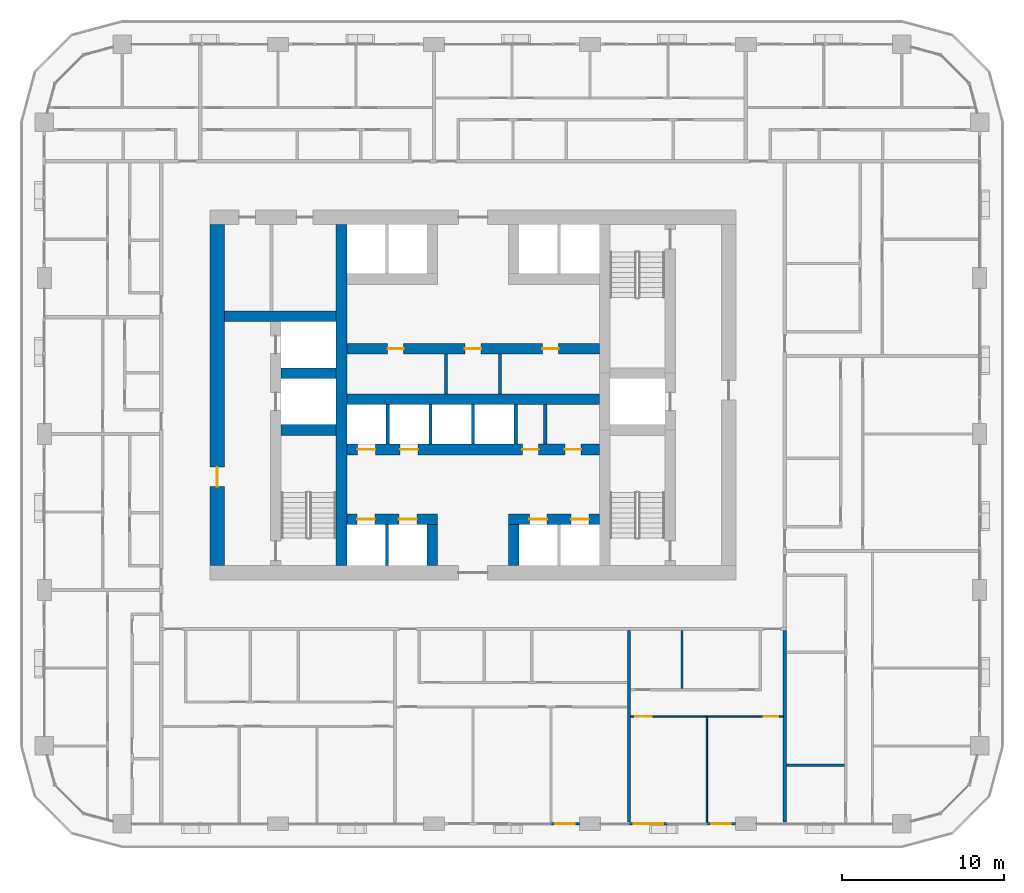
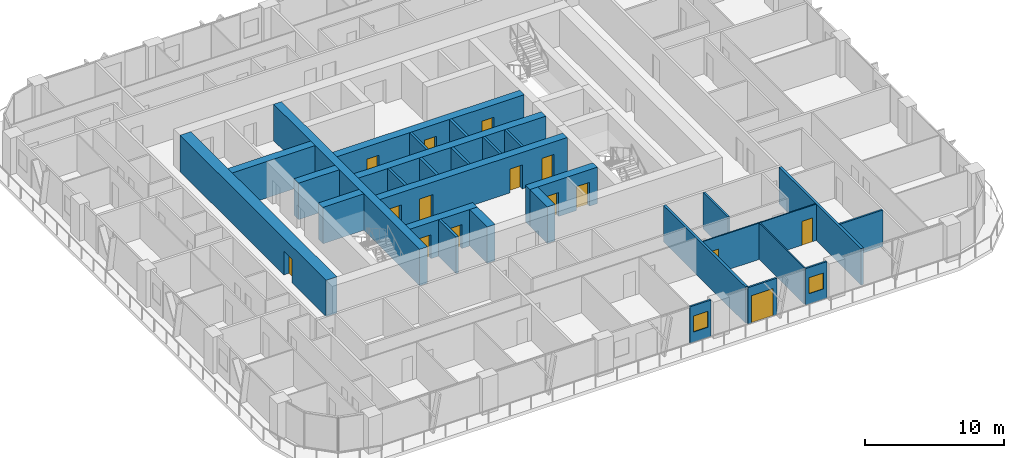
# One storey, part 11 of 22: 29 walls, 15 doors, 2 windows, 17 openings.
"""IFC4 building model written with IfcOpenShell, lengths in metres."""

from ifc_helpers import new_model, si_unit, direction, frame, frame_2d, origin, place, context, subcontext, project, spatial, rectangle, extrude, material, layer, layer_set, type_object, element, fill, save


model = new_model("IFC4")

# Units and contexts
model_context = context("Model", 3, precision=1e-05, world=origin(), true_north=direction((0.0, 1.0)))
body_context = subcontext(model_context, "Body", "Model", "MODEL_VIEW")
ifc_project = project(units=[si_unit("LENGTHUNIT", "METRE"), si_unit("AREAUNIT", "SQUARE_METRE"), si_unit("VOLUMEUNIT", "CUBIC_METRE"), si_unit("PLANEANGLEUNIT", "RADIAN"), si_unit("MASSUNIT", "GRAM", prefix="KILO")], contexts=[model_context])

# Site, building, storey
site_placement = place(None, origin())
site = spatial("IfcSite", under=ifc_project, at=site_placement, CompositionType="ELEMENT")
building_placement = place(site_placement, origin())
building = spatial("IfcBuilding", under=site, at=building_placement, Name="Madar Terraces", CompositionType="ELEMENT")
storey_placement = place(building_placement, frame((0.0, 0.0, 66.300048828125)))
storey = spatial("IfcBuildingStorey", under=building, at=storey_placement, Name="L16", CompositionType="ELEMENT", Elevation=66.300048828125)

# Walls
ifc_material_1 = material(Name="Concrete C80/95", Category="concrete")
ifc_layer_1 = layer(ifc_material_1, 0.64990234375)
ifc_layer_set_1 = layer_set([ifc_layer_1], Name="Concrete C80/95 (CIW2 RC wall 650)")
wall_type_1 = type_object("IfcWallType", Name="CIW2 RC wall 650", PredefinedType="SHEAR", material=ifc_layer_set_1)
wall_1_placement = place(storey_placement, frame((23.10009765625, 15.89990234375, 0.0), z_axis=(0.0, 0.0, 1.0), x_axis=(0.0, 1.0, 0.0)))
element("IfcWall", 1, at=wall_1_placement, inside=storey, type_object=wall_type_1, Name="CORE SHAFT WALL", PredefinedType="SHEAR", context=body_context, shape_type="SweptSolid", body=[
    extrude(rectangle(XDim=21.0, YDim=0.64990234375, at=frame_2d((10.5, 0.0))), origin(), (0.0, 0.0, 1.0), 3.199951171875),
])
for number, where, z_axis, x_axis, name in (
    (2, (19.375, 24.25, 0.0), (0.0, 0.0, 1.0), (1.0, 0.0, 0.0), "CORE SHAFT WALL"),
    (3, (19.375, 27.75, 0.0), (0.0, 0.0, 1.0), (1.0, 0.0, 0.0), "CORE SHAFT WALL"),
):
    element("IfcWall", number, at=place(storey_placement, frame(where, z_axis=z_axis, x_axis=x_axis)), inside=storey, type_object=wall_type_1, Name=name, PredefinedType="SHEAR", context=body_context, shape_type="SweptSolid", body=[
        extrude(rectangle(XDim=3.39990234375, YDim=0.64990234375, at=frame_2d((1.699951171875, 0.0))), origin(), (0.0, 0.0, 1.0), 3.199951171875),
    ])
wall_2_placement = place(storey_placement, frame((15.89990234375, 31.25, 0.0), z_axis=(0.0, 0.0, 1.0), x_axis=(1.0, 0.0, 0.0)))
element("IfcWall", 4, at=wall_2_placement, inside=storey, type_object=wall_type_1, Name="CORE SHAFT WALL", PredefinedType="SHEAR", context=body_context, shape_type="SweptSolid", body=[
    extrude(rectangle(XDim=6.875, YDim=0.64990234375, at=frame_2d((3.4375, 0.0))), origin(), (0.0, 0.0, 1.0), 3.199951171875),
])

# Wall, openings, doors
wall_3_placement = place(storey_placement, frame((23.425048828125, 18.75, 0.0), z_axis=(0.0, 0.0, 1.0), x_axis=(1.0, 0.0, 0.0)))
wall_3 = element("IfcWall", 5, at=wall_3_placement, inside=storey, type_object=wall_type_1, Name="CORE SHAFT WALL", PredefinedType="SHEAR", context=body_context, shape_type="SweptSolid", body=[
    extrude(rectangle(XDim=5.599853515625, YDim=0.64990234375, at=frame_2d((2.7998046875, 0.0))), origin(), (0.0, 0.0, 1.0), 3.199951171875),
])
opening_1_placement = place(wall_3_placement, frame((0.637451171875, 0.0, 0.0)))
opening_1 = element("IfcOpeningElement", 6, at=opening_1_placement, cuts=wall_3, Name="Opening LD", PredefinedType="OPENING", context=body_context, shape_type="SweptSolid", body=[
    extrude(rectangle(XDim=1.10009765625, YDim=2.10009765625, at=frame_2d((0.550048828125, 1.050048828125))), frame((0.0, 0.3349609375, 0.0), z_axis=(0.0, -1.0, 0.0), x_axis=(1.0, 0.0, 0.0)), (0.0, 0.0, 1.0), 0.669921875),
])
opening_2_placement = place(wall_3_placement, frame((3.21240234375, 0.0, 0.0)))
opening_2 = element("IfcOpeningElement", 7, at=opening_2_placement, cuts=wall_3, Name="Opening LD", PredefinedType="OPENING", context=body_context, shape_type="SweptSolid", body=[
    extrude(rectangle(XDim=1.10009765625, YDim=2.10009765625, at=frame_2d((0.550048828125, 1.050048828125))), frame((0.0, 0.3349609375, 0.0), z_axis=(0.0, -1.0, 0.0), x_axis=(1.0, 0.0, 0.0)), (0.0, 0.0, 1.0), 0.669921875),
])
ifc_material_2 = material(Name="Stainless steel panel", Category="steel")
door_type_1 = type_object("IfcDoorType", Name="Lift landing door 1100 x 2100", OperationType="DOUBLE_DOOR_SLIDING", PredefinedType="DOOR", material=ifc_material_2)
door_1_placement = place(opening_1_placement, origin())
door_1 = element("IfcDoor", 8, at=door_1_placement, inside=storey, type_object=door_type_1, Name="LIFT LANDING DOOR", OperationType="DOUBLE_DOOR_SLIDING", OverallHeight=2.10009765625, OverallWidth=1.10009765625, PredefinedType="DOOR", context=body_context, shape_type="SweptSolid", body=[
    extrude(rectangle(XDim=1.10009765625, YDim=2.10009765625, at=frame_2d((0.550048828125, 1.050048828125))), frame((0.0, 0.02490234375, 0.0), z_axis=(0.0, -1.0, 0.0), x_axis=(1.0, 0.0, 0.0)), (0.0, 0.0, 1.0), 0.050048828125),
])
fill(opening_1, door_1)
door_2_placement = place(opening_2_placement, origin())
door_2 = element("IfcDoor", 9, at=door_2_placement, inside=storey, type_object=door_type_1, Name="LIFT LANDING DOOR", OperationType="DOUBLE_DOOR_SLIDING", OverallHeight=2.10009765625, OverallWidth=1.10009765625, PredefinedType="DOOR", context=body_context, shape_type="SweptSolid", body=[
    extrude(rectangle(XDim=1.10009765625, YDim=2.10009765625, at=frame_2d((0.550048828125, 1.050048828125))), frame((0.0, 0.02490234375, 0.0), z_axis=(0.0, -1.0, 0.0), x_axis=(1.0, 0.0, 0.0)), (0.0, 0.0, 1.0), 0.050048828125),
])
fill(opening_2, door_2)

wall_4_placement = place(storey_placement, frame((33.375, 18.75, 0.0), z_axis=(0.0, 0.0, 1.0), x_axis=(1.0, 0.0, 0.0)))
wall_4 = element("IfcWall", 10, at=wall_4_placement, inside=storey, type_object=wall_type_1, Name="CORE SHAFT WALL", PredefinedType="SHEAR", context=body_context, shape_type="SweptSolid", body=[
    extrude(rectangle(XDim=5.60009765625, YDim=0.64990234375, at=frame_2d((2.800048828125, 0.0))), origin(), (0.0, 0.0, 1.0), 3.199951171875),
])
opening_3_placement = place(wall_4_placement, frame((1.28759765625, 0.0, 0.0)))
opening_3 = element("IfcOpeningElement", 11, at=opening_3_placement, cuts=wall_4, Name="Opening LD", PredefinedType="OPENING", context=body_context, shape_type="SweptSolid", body=[
    extrude(rectangle(XDim=1.10009765625, YDim=2.10009765625, at=frame_2d((0.550048828125, 1.050048828125))), frame((0.0, 0.3349609375, 0.0), z_axis=(0.0, -1.0, 0.0), x_axis=(1.0, 0.0, 0.0)), (0.0, 0.0, 1.0), 0.669921875),
])
opening_4_placement = place(wall_4_placement, frame((3.862548828125, 0.0, 0.0)))
opening_4 = element("IfcOpeningElement", 12, at=opening_4_placement, cuts=wall_4, Name="Opening LD", PredefinedType="OPENING", context=body_context, shape_type="SweptSolid", body=[
    extrude(rectangle(XDim=1.10009765625, YDim=2.10009765625, at=frame_2d((0.550048828125, 1.050048828125))), frame((0.0, 0.3349609375, 0.0), z_axis=(0.0, -1.0, 0.0), x_axis=(1.0, 0.0, 0.0)), (0.0, 0.0, 1.0), 0.669921875),
])
door_3_placement = place(opening_3_placement, origin())
door_3 = element("IfcDoor", 13, at=door_3_placement, inside=storey, type_object=door_type_1, Name="LIFT LANDING DOOR", OperationType="DOUBLE_DOOR_SLIDING", OverallHeight=2.10009765625, OverallWidth=1.10009765625, PredefinedType="DOOR", context=body_context, shape_type="SweptSolid", body=[
    extrude(rectangle(XDim=1.10009765625, YDim=2.10009765625, at=frame_2d((0.550048828125, 1.050048828125))), frame((0.0, 0.02490234375, 0.0), z_axis=(0.0, -1.0, 0.0), x_axis=(1.0, 0.0, 0.0)), (0.0, 0.0, 1.0), 0.050048828125),
])
fill(opening_3, door_3)
door_4_placement = place(opening_4_placement, origin())
door_4 = element("IfcDoor", 14, at=door_4_placement, inside=storey, type_object=door_type_1, Name="LIFT LANDING DOOR", OperationType="DOUBLE_DOOR_SLIDING", OverallHeight=2.10009765625, OverallWidth=1.10009765625, PredefinedType="DOOR", context=body_context, shape_type="SweptSolid", body=[
    extrude(rectangle(XDim=1.10009765625, YDim=2.10009765625, at=frame_2d((0.550048828125, 1.050048828125))), frame((0.0, 0.02490234375, 0.0), z_axis=(0.0, -1.0, 0.0), x_axis=(1.0, 0.0, 0.0)), (0.0, 0.0, 1.0), 0.050048828125),
])
fill(opening_4, door_4)

wall_5_placement = place(storey_placement, frame((23.425048828125, 23.050048828125, 0.0), z_axis=(0.0, 0.0, 1.0), x_axis=(1.0, 0.0, 0.0)))
wall_5 = element("IfcWall", 15, at=wall_5_placement, inside=storey, type_object=wall_type_1, Name="CORE SHAFT WALL", PredefinedType="SHEAR", context=body_context, shape_type="SweptSolid", body=[
    extrude(rectangle(XDim=15.550048828125, YDim=0.64990234375, at=frame_2d((7.77490234375, 0.0))), origin(), (0.0, 0.0, 1.0), 3.199951171875),
])
opening_5_placement = place(wall_5_placement, frame((0.66259765625, 0.0, 0.0)))
opening_5 = element("IfcOpeningElement", 16, at=opening_5_placement, cuts=wall_5, Name="Opening LD", PredefinedType="OPENING", context=body_context, shape_type="SweptSolid", body=[
    extrude(rectangle(XDim=1.10009765625, YDim=2.10009765625, at=frame_2d((0.550048828125, 1.050048828125))), frame((0.0, 0.3349609375, 0.0), z_axis=(0.0, -1.0, 0.0), x_axis=(1.0, 0.0, 0.0)), (0.0, 0.0, 1.0), 0.669921875),
])
opening_6_placement = place(wall_5_placement, frame((3.28759765625, 0.0, 0.0)))
opening_6 = element("IfcOpeningElement", 17, at=opening_6_placement, cuts=wall_5, Name="Opening LD", PredefinedType="OPENING", context=body_context, shape_type="SweptSolid", body=[
    extrude(rectangle(XDim=1.10009765625, YDim=2.10009765625, at=frame_2d((0.550048828125, 1.050048828125))), frame((0.0, 0.3349609375, 0.0), z_axis=(0.0, -1.0, 0.0), x_axis=(1.0, 0.0, 0.0)), (0.0, 0.0, 1.0), 0.669921875),
])
opening_7_placement = place(wall_5_placement, frame((10.80859375, 0.0, 0.0)))
opening_7 = element("IfcOpeningElement", 18, at=opening_7_placement, cuts=wall_5, Name="Opening KD2", PredefinedType="OPENING", context=body_context, shape_type="SweptSolid", body=[
    extrude(rectangle(XDim=1.0, YDim=2.10009765625, at=frame_2d((0.5, 1.050048828125))), frame((0.0, 0.3349609375, 0.0), z_axis=(0.0, -1.0, 0.0), x_axis=(1.0, 0.0, 0.0)), (0.0, 0.0, 1.0), 0.669921875),
])
opening_8_placement = place(wall_5_placement, frame((13.43359375, 0.0, 0.0)))
opening_8 = element("IfcOpeningElement", 19, at=opening_8_placement, cuts=wall_5, Name="Opening KD2", PredefinedType="OPENING", context=body_context, shape_type="SweptSolid", body=[
    extrude(rectangle(XDim=1.0, YDim=2.10009765625, at=frame_2d((0.5, 1.050048828125))), frame((0.0, 0.3349609375, 0.0), z_axis=(0.0, -1.0, 0.0), x_axis=(1.0, 0.0, 0.0)), (0.0, 0.0, 1.0), 0.669921875),
])
door_5_placement = place(opening_5_placement, origin())
door_5 = element("IfcDoor", 20, at=door_5_placement, inside=storey, type_object=door_type_1, Name="LIFT LANDING DOOR", OperationType="DOUBLE_DOOR_SLIDING", OverallHeight=2.10009765625, OverallWidth=1.10009765625, PredefinedType="DOOR", context=body_context, shape_type="SweptSolid", body=[
    extrude(rectangle(XDim=1.10009765625, YDim=2.10009765625, at=frame_2d((0.550048828125, 1.050048828125))), frame((0.0, 0.02490234375, 0.0), z_axis=(0.0, -1.0, 0.0), x_axis=(1.0, 0.0, 0.0)), (0.0, 0.0, 1.0), 0.050048828125),
])
fill(opening_5, door_5)
door_6_placement = place(opening_6_placement, origin())
door_6 = element("IfcDoor", 21, at=door_6_placement, inside=storey, type_object=door_type_1, Name="LIFT LANDING DOOR", OperationType="DOUBLE_DOOR_SLIDING", OverallHeight=2.10009765625, OverallWidth=1.10009765625, PredefinedType="DOOR", context=body_context, shape_type="SweptSolid", body=[
    extrude(rectangle(XDim=1.10009765625, YDim=2.10009765625, at=frame_2d((0.550048828125, 1.050048828125))), frame((0.0, 0.02490234375, 0.0), z_axis=(0.0, -1.0, 0.0), x_axis=(1.0, 0.0, 0.0)), (0.0, 0.0, 1.0), 0.050048828125),
])
fill(opening_6, door_6)
ifc_material_3 = material(Name="Steel door leaf", Category="steel")
door_type_2 = type_object("IfcDoorType", Name="Service room door 1000 x 2100", OperationType="NOTDEFINED", PredefinedType="DOOR", material=ifc_material_3)
door_7_placement = place(opening_7_placement, frame((1.0, 0.0, 0.0), z_axis=(0.0, 0.0, 1.0), x_axis=(-1.0, 0.0, 0.0)))
door_7 = element("IfcDoor", 22, at=door_7_placement, inside=storey, type_object=door_type_2, Name="SERVICE ROOM DOOR", OperationType="SINGLE_SWING_LEFT", OverallHeight=2.10009765625, OverallWidth=1.0, PredefinedType="DOOR", context=body_context, shape_type="SweptSolid", body=[
    extrude(rectangle(XDim=1.0, YDim=2.10009765625, at=frame_2d((0.5, 1.050048828125))), frame((0.0, 0.02490234375, 0.0), z_axis=(0.0, -1.0, 0.0), x_axis=(1.0, 0.0, 0.0)), (0.0, 0.0, 1.0), 0.050048828125),
])
fill(opening_7, door_7)
door_8_placement = place(opening_8_placement, frame((1.0, 0.0, 0.0), z_axis=(0.0, 0.0, 1.0), x_axis=(-1.0, 0.0, 0.0)))
door_8 = element("IfcDoor", 23, at=door_8_placement, inside=storey, type_object=door_type_2, Name="SERVICE ROOM DOOR", OperationType="SINGLE_SWING_RIGHT", OverallHeight=2.10009765625, OverallWidth=1.0, PredefinedType="DOOR", context=body_context, shape_type="SweptSolid", body=[
    extrude(rectangle(XDim=1.0, YDim=2.10009765625, at=frame_2d((0.5, 1.050048828125))), frame((0.0, 0.02490234375, 0.0), z_axis=(0.0, -1.0, 0.0), x_axis=(1.0, 0.0, 0.0)), (0.0, 0.0, 1.0), 0.050048828125),
])
fill(opening_8, door_8)

# Wall
wall_6_placement = place(storey_placement, frame((23.425048828125, 26.14990234375, 0.0), z_axis=(0.0, 0.0, 1.0), x_axis=(1.0, 0.0, 0.0)))
element("IfcWall", 24, at=wall_6_placement, inside=storey, type_object=wall_type_1, Name="CORE SHAFT WALL", PredefinedType="SHEAR", context=body_context, shape_type="SweptSolid", body=[
    extrude(rectangle(XDim=15.550048828125, YDim=0.64990234375, at=frame_2d((7.77490234375, 0.0))), origin(), (0.0, 0.0, 1.0), 3.199951171875),
])

# Wall, openings, doors
wall_7_placement = place(storey_placement, frame((23.425048828125, 29.25, 0.0), z_axis=(0.0, 0.0, 1.0), x_axis=(1.0, 0.0, 0.0)))
wall_7 = element("IfcWall", 25, at=wall_7_placement, inside=storey, type_object=wall_type_1, Name="CORE SHAFT WALL", PredefinedType="SHEAR", context=body_context, shape_type="SweptSolid", body=[
    extrude(rectangle(XDim=15.550048828125, YDim=0.64990234375, at=frame_2d((7.77490234375, 0.0))), origin(), (0.0, 0.0, 1.0), 3.199951171875),
])
opening_9_placement = place(wall_7_placement, frame((2.508056640625, 0.0, 0.0)))
opening_9 = element("IfcOpeningElement", 26, at=opening_9_placement, cuts=wall_7, Name="Opening KD2", PredefinedType="OPENING", context=body_context, shape_type="SweptSolid", body=[
    extrude(rectangle(XDim=1.0, YDim=2.10009765625, at=frame_2d((0.5, 1.050048828125))), frame((0.0, 0.3349609375, 0.0), z_axis=(0.0, -1.0, 0.0), x_axis=(1.0, 0.0, 0.0)), (0.0, 0.0, 1.0), 0.669921875),
])
opening_10_placement = place(wall_7_placement, frame((7.27490234375, 0.0, 0.0)))
opening_10 = element("IfcOpeningElement", 27, at=opening_10_placement, cuts=wall_7, Name="Opening KD2", PredefinedType="OPENING", context=body_context, shape_type="SweptSolid", body=[
    extrude(rectangle(XDim=1.0, YDim=2.10009765625, at=frame_2d((0.5, 1.050048828125))), frame((0.0, 0.3349609375, 0.0), z_axis=(0.0, -1.0, 0.0), x_axis=(1.0, 0.0, 0.0)), (0.0, 0.0, 1.0), 0.669921875),
])
opening_11_placement = place(wall_7_placement, frame((12.041748046875, 0.0, 0.0)))
opening_11 = element("IfcOpeningElement", 28, at=opening_11_placement, cuts=wall_7, Name="Opening KD2", PredefinedType="OPENING", context=body_context, shape_type="SweptSolid", body=[
    extrude(rectangle(XDim=1.0, YDim=2.10009765625, at=frame_2d((0.5, 1.050048828125))), frame((0.0, 0.3349609375, 0.0), z_axis=(0.0, -1.0, 0.0), x_axis=(1.0, 0.0, 0.0)), (0.0, 0.0, 1.0), 0.669921875),
])
door_9_placement = place(opening_9_placement, origin())
door_9 = element("IfcDoor", 29, at=door_9_placement, inside=storey, type_object=door_type_2, Name="SERVICE ROOM DOOR", OperationType="SINGLE_SWING_LEFT", OverallHeight=2.10009765625, OverallWidth=1.0, PredefinedType="DOOR", context=body_context, shape_type="SweptSolid", body=[
    extrude(rectangle(XDim=1.0, YDim=2.10009765625, at=frame_2d((0.5, 1.050048828125))), frame((0.0, 0.02490234375, 0.0), z_axis=(0.0, -1.0, 0.0), x_axis=(1.0, 0.0, 0.0)), (0.0, 0.0, 1.0), 0.050048828125),
])
fill(opening_9, door_9)
door_10_placement = place(opening_10_placement, origin())
door_10 = element("IfcDoor", 30, at=door_10_placement, inside=storey, type_object=door_type_2, Name="SERVICE ROOM DOOR", OperationType="SINGLE_SWING_RIGHT", OverallHeight=2.10009765625, OverallWidth=1.0, PredefinedType="DOOR", context=body_context, shape_type="SweptSolid", body=[
    extrude(rectangle(XDim=1.0, YDim=2.10009765625, at=frame_2d((0.5, 1.050048828125))), frame((0.0, 0.02490234375, 0.0), z_axis=(0.0, -1.0, 0.0), x_axis=(1.0, 0.0, 0.0)), (0.0, 0.0, 1.0), 0.050048828125),
])
fill(opening_10, door_10)
door_11_placement = place(opening_11_placement, origin())
door_11 = element("IfcDoor", 31, at=door_11_placement, inside=storey, type_object=door_type_2, Name="SERVICE ROOM DOOR", OperationType="SINGLE_SWING_LEFT", OverallHeight=2.10009765625, OverallWidth=1.0, PredefinedType="DOOR", context=body_context, shape_type="SweptSolid", body=[
    extrude(rectangle(XDim=1.0, YDim=2.10009765625, at=frame_2d((0.5, 1.050048828125))), frame((0.0, 0.02490234375, 0.0), z_axis=(0.0, -1.0, 0.0), x_axis=(1.0, 0.0, 0.0)), (0.0, 0.0, 1.0), 0.050048828125),
])
fill(opening_11, door_11)

# Walls
for number, where, z_axis, x_axis, name in (
    (32, (28.699951171875, 15.89990234375, 0.0), (0.0, 0.0, 1.0), (0.0, 1.0, 0.0), "CORE SHAFT WALL"),
    (33, (33.699951171875, 15.89990234375, 0.0), (0.0, 0.0, 1.0), (0.0, 1.0, 0.0), "CORE SHAFT WALL"),
):
    element("IfcWall", number, at=place(storey_placement, frame(where, z_axis=z_axis, x_axis=x_axis)), inside=storey, type_object=wall_type_1, Name=name, PredefinedType="SHEAR", context=body_context, shape_type="SweptSolid", body=[
        extrude(rectangle(XDim=2.525146484375, YDim=0.64990234375, at=frame_2d((1.2626953125, 0.0))), origin(), (0.0, 0.0, 1.0), 3.199951171875),
    ])

# Wall, opening, door
ifc_material_4 = material(Name="Concrete C80/95", Category="concrete")
ifc_layer_2 = layer(ifc_material_4, 0.89990234375)
ifc_layer_set_2 = layer_set([ifc_layer_2], Name="Concrete C80/95 (CRW2 RC wall 900)")
wall_type_2 = type_object("IfcWallType", Name="CRW2 RC wall 900", PredefinedType="SHEAR", material=ifc_layer_set_2)
wall_8_placement = place(storey_placement, frame((15.449951171875, 15.89990234375, 0.0), z_axis=(0.0, 0.0, 1.0), x_axis=(0.0, 1.0, 0.0)))
wall_8 = element("IfcWall", 34, at=wall_8_placement, inside=storey, type_object=wall_type_2, Name="CORE OUTER WALL", PredefinedType="SHEAR", context=body_context, shape_type="SweptSolid", body=[
    extrude(rectangle(XDim=21.0, YDim=0.89990234375, at=frame_2d((10.5, 0.0))), origin(), (0.0, 0.0, 1.0), 3.199951171875),
])
opening_12_placement = place(wall_8_placement, frame((4.860107421875, 0.0, 0.0)))
opening_12 = element("IfcOpeningElement", 35, at=opening_12_placement, cuts=wall_8, Name="Opening SD1", PredefinedType="OPENING", context=body_context, shape_type="SweptSolid", body=[
    extrude(rectangle(XDim=1.199951171875, YDim=2.10009765625, at=frame_2d((0.60009765625, 1.050048828125))), frame((0.0, 0.4599609375, 0.0), z_axis=(0.0, -1.0, 0.0), x_axis=(1.0, 0.0, 0.0)), (0.0, 0.0, 1.0), 0.919921875),
])
ifc_material_5 = material(Name="Steel door leaf", Category="steel")
door_type_3 = type_object("IfcDoorType", Name="Stair door 1200 x 2100", OperationType="NOTDEFINED", PredefinedType="DOOR", material=ifc_material_5)
door_12_placement = place(opening_12_placement, frame((1.199951171875, 0.0, 0.0), z_axis=(0.0, 0.0, 1.0), x_axis=(-1.0, 0.0, 0.0)))
door_12 = element("IfcDoor", 36, at=door_12_placement, inside=storey, type_object=door_type_3, Name="STAIR DOOR", OperationType="SINGLE_SWING_LEFT", OverallHeight=2.10009765625, OverallWidth=1.199951171875, PredefinedType="DOOR", context=body_context, shape_type="SweptSolid", body=[
    extrude(rectangle(XDim=1.199951171875, YDim=2.10009765625, at=frame_2d((0.60009765625, 1.050048828125))), frame((0.0, 0.02490234375, 0.0), z_axis=(0.0, -1.0, 0.0), x_axis=(1.0, 0.0, 0.0)), (0.0, 0.0, 1.0), 0.050048828125),
])
fill(opening_12, door_12)

# Walls
ifc_material_6 = material(Name="Masonry blockwork", Category="masonry")
ifc_layer_3 = layer(ifc_material_6, 0.199951171875)
ifc_layer_set_3 = layer_set([ifc_layer_3], Name="Core partition 200 blockwork")
wall_type_3 = type_object("IfcWallType", Name="Core partition 200 blockwork", PredefinedType="PARTITIONING", material=ifc_layer_set_3)
for number, where, z_axis, x_axis, name in (
    (37, (35.64208984375, 23.375, 0.0), (0.0, 0.0, 1.0), (0.0, 1.0, 0.0), "SERVICE ROOM PARTITION"),
    (38, (29.541259765625, 26.47509765625, 0.0), (0.0, 0.0, 1.0), (0.0, 1.0, 0.0), "SERVICE ROOM PARTITION"),
    (39, (32.858642578125, 26.47509765625, 0.0), (0.0, 0.0, 1.0), (0.0, 1.0, 0.0), "SERVICE ROOM PARTITION"),
):
    element("IfcWall", number, at=place(storey_placement, frame(where, z_axis=z_axis, x_axis=x_axis)), inside=storey, type_object=wall_type_3, Name=name, PredefinedType="PARTITIONING", context=body_context, shape_type="SweptSolid", body=[
        extrude(rectangle(XDim=2.449951171875, YDim=0.199951171875, at=frame_2d((1.22509765625, 0.0))), origin(), (0.0, 0.0, 1.0), 3.199951171875),
    ])
ifc_material_7 = material(Name="Concrete C40/50", Category="concrete")
ifc_layer_4 = layer(ifc_material_7, 0.199951171875)
ifc_layer_set_4 = layer_set([ifc_layer_4], Name="Core shaft dividing wall 200 C40/50")
wall_type_4 = type_object("IfcWallType", Name="Core shaft dividing wall 200 C40/50", PredefinedType="SOLIDWALL", material=ifc_layer_set_4)
for number, where, z_axis, x_axis, name in (
    (40, (25.949951171875, 23.375, 0.0), (0.0, 0.0, 1.0), (0.0, 1.0, 0.0), "SHAFT DIVIDING WALL"),
    (41, (28.574951171875, 23.375, 0.0), (0.0, 0.0, 1.0), (0.0, 1.0, 0.0), "SHAFT DIVIDING WALL"),
    (42, (31.199951171875, 23.375, 0.0), (0.0, 0.0, 1.0), (0.0, 1.0, 0.0), "SHAFT DIVIDING WALL"),
    (43, (33.824951171875, 23.375, 0.0), (0.0, 0.0, 1.0), (0.0, 1.0, 0.0), "SHAFT DIVIDING WALL"),
):
    element("IfcWall", number, at=place(storey_placement, frame(where, z_axis=z_axis, x_axis=x_axis)), inside=storey, type_object=wall_type_4, Name=name, PredefinedType="SOLIDWALL", context=body_context, shape_type="SweptSolid", body=[
        extrude(rectangle(XDim=2.449951171875, YDim=0.199951171875, at=frame_2d((1.22509765625, 0.0))), origin(), (0.0, 0.0, 1.0), 3.199951171875),
    ])
wall_9_placement = place(storey_placement, frame((25.89990234375, 15.89990234375, 0.0), z_axis=(0.0, 0.0, 1.0), x_axis=(0.0, 1.0, 0.0)))
element("IfcWall", 44, at=wall_9_placement, inside=storey, type_object=wall_type_4, Name="SHAFT DIVIDING WALL", PredefinedType="SOLIDWALL", context=body_context, shape_type="SweptSolid", body=[
    extrude(rectangle(XDim=2.525146484375, YDim=0.199951171875, at=frame_2d((1.2626953125, 0.0))), origin(), (0.0, 0.0, 1.0), 3.199951171875),
])

# Wall, opening, window
ifc_material_8 = material(Name="Aluminium composite panel, black, over insulated backing", Category="aluminium")
ifc_layer_5 = layer(ifc_material_8, 0.14990234375)
ifc_layer_set_5 = layer_set([ifc_layer_5], Name="Facade bay panel 150")
wall_type_5 = type_object("IfcWallType", Name="Facade bay panel 150", PredefinedType="SOLIDWALL", material=ifc_layer_set_5)
wall_10_placement = place(storey_placement, frame((36.0, 0.0, 0.0), z_axis=(0.0, 0.0, 1.0), x_axis=(1.0, 0.0, 0.0)))
wall_10 = element("IfcWall", 45, at=wall_10_placement, inside=storey, type_object=wall_type_5, Name="Facade bay panel", PredefinedType="SOLIDWALL", context=body_context, shape_type="SweptSolid", body=[
    extrude(rectangle(XDim=1.75, YDim=0.14990234375, at=frame_2d((0.875, 0.0))), origin(), (0.0, 0.0, 1.0), 3.199951171875),
])
opening_13_placement = place(wall_10_placement, frame((0.27490234375, 0.0, 0.89990234375)))
opening_13 = element("IfcOpeningElement", 46, at=opening_13_placement, cuts=wall_10, Name="Opening W1", PredefinedType="OPENING", context=body_context, shape_type="SweptSolid", body=[
    extrude(rectangle(XDim=1.199951171875, YDim=1.39990234375, at=frame_2d((0.60009765625, 0.699951171875))), frame((0.0, 0.0849609375, 0.0), z_axis=(0.0, -1.0, 0.0), x_axis=(1.0, 0.0, 0.0)), (0.0, 0.0, 1.0), 0.169921875),
])
ifc_material_9 = material(Name="Glass, clear, with black aluminium frame", Category="aluminium")
window_type = type_object("IfcWindowType", Name="Vent window 1200 x 1400", PartitioningType="SINGLE_PANEL", PredefinedType="WINDOW", material=ifc_material_9)
window_1_placement = place(opening_13_placement, origin())
window_1 = element("IfcWindow", 47, at=window_1_placement, inside=storey, type_object=window_type, Name="Operable vent window", OverallHeight=1.39990234375, OverallWidth=1.199951171875, PartitioningType="SINGLE_PANEL", PredefinedType="WINDOW", context=body_context, shape_type="SweptSolid", body=[
    extrude(rectangle(XDim=1.199951171875, YDim=1.39990234375, at=frame_2d((0.60009765625, 0.699951171875))), frame((0.0, 0.030029296875, 0.0), z_axis=(0.0, -1.0, 0.0), x_axis=(1.0, 0.0, 0.0)), (0.0, 0.0, 1.0), 0.06005859375),
])
fill(opening_13, window_1)

# Wall, opening, door
wall_11_placement = place(storey_placement, frame((40.800048828125, 0.0, 0.0), z_axis=(0.0, 0.0, 1.0), x_axis=(1.0, 0.0, 0.0)))
wall_11 = element("IfcWall", 48, at=wall_11_placement, inside=storey, type_object=wall_type_5, Name="Facade bay panel", PredefinedType="SOLIDWALL", context=body_context, shape_type="SweptSolid", body=[
    extrude(rectangle(XDim=2.39990234375, YDim=0.14990234375, at=frame_2d((1.199951171875, 0.0))), origin(), (0.0, 0.0, 1.0), 3.199951171875),
])
opening_14_placement = place(wall_11_placement, frame((0.300048828125, 0.0, 0.0)))
opening_14 = element("IfcOpeningElement", 49, at=opening_14_placement, cuts=wall_11, Name="Opening ED1", PredefinedType="OPENING", context=body_context, shape_type="SweptSolid", body=[
    extrude(rectangle(XDim=1.800048828125, YDim=2.39990234375, at=frame_2d((0.89990234375, 1.199951171875))), frame((0.0, 0.0849609375, 0.0), z_axis=(0.0, -1.0, 0.0), x_axis=(1.0, 0.0, 0.0)), (0.0, 0.0, 1.0), 0.169921875),
])
ifc_material_10 = material(Name="Glass, clear, with black aluminium frame", Category="aluminium")
door_type_4 = type_object("IfcDoorType", Name="Balcony and terrace sliding door 1800 x 2400", OperationType="SLIDING_TO_LEFT", PredefinedType="DOOR", material=ifc_material_10)
door_13_placement = place(opening_14_placement, origin())
door_13 = element("IfcDoor", 50, at=door_13_placement, inside=storey, type_object=door_type_4, Name="Balcony door", OperationType="SLIDING_TO_RIGHT", OverallHeight=2.39990234375, OverallWidth=1.800048828125, PredefinedType="DOOR", context=body_context, shape_type="SweptSolid", body=[
    extrude(rectangle(XDim=1.800048828125, YDim=2.39990234375, at=frame_2d((0.89990234375, 1.199951171875))), frame((0.0, 0.02490234375, 0.0), z_axis=(0.0, -1.0, 0.0), x_axis=(1.0, 0.0, 0.0)), (0.0, 0.0, 1.0), 0.050048828125),
])
fill(opening_14, door_13)

# Wall, opening, window
wall_12_placement = place(storey_placement, frame((45.60009765625, 0.0, 0.0), z_axis=(0.0, 0.0, 1.0), x_axis=(1.0, 0.0, 0.0)))
wall_12 = element("IfcWall", 51, at=wall_12_placement, inside=storey, type_object=wall_type_5, Name="Facade bay panel", PredefinedType="SOLIDWALL", context=body_context, shape_type="SweptSolid", body=[
    extrude(rectangle(XDim=1.75, YDim=0.14990234375, at=frame_2d((0.875, 0.0))), origin(), (0.0, 0.0, 1.0), 3.199951171875),
])
opening_15_placement = place(wall_12_placement, frame((0.27490234375, 0.0, 0.89990234375)))
opening_15 = element("IfcOpeningElement", 52, at=opening_15_placement, cuts=wall_12, Name="Opening W1", PredefinedType="OPENING", context=body_context, shape_type="SweptSolid", body=[
    extrude(rectangle(XDim=1.199951171875, YDim=1.39990234375, at=frame_2d((0.60009765625, 0.699951171875))), frame((0.0, 0.0849609375, 0.0), z_axis=(0.0, -1.0, 0.0), x_axis=(1.0, 0.0, 0.0)), (0.0, 0.0, 1.0), 0.169921875),
])
window_2_placement = place(opening_15_placement, origin())
window_2 = element("IfcWindow", 53, at=window_2_placement, inside=storey, type_object=window_type, Name="Operable vent window", OverallHeight=1.39990234375, OverallWidth=1.199951171875, PartitioningType="SINGLE_PANEL", PredefinedType="WINDOW", context=body_context, shape_type="SweptSolid", body=[
    extrude(rectangle(XDim=1.199951171875, YDim=1.39990234375, at=frame_2d((0.60009765625, 0.699951171875))), frame((0.0, 0.030029296875, 0.0), z_axis=(0.0, -1.0, 0.0), x_axis=(1.0, 0.0, 0.0)), (0.0, 0.0, 1.0), 0.06005859375),
])
fill(opening_15, window_2)

# Wall
ifc_material_11 = material(Name="Gypsum board on steel studs", Category="steel")
ifc_layer_6 = layer(ifc_material_11, 0.10009765625)
ifc_layer_set_6 = layer_set([ifc_layer_6], Name="Flat partition 100")
wall_type_6 = type_object("IfcWallType", Name="Flat partition 100", PredefinedType="PARTITIONING", material=ifc_layer_set_6)
wall_13_placement = place(storey_placement, frame((45.60009765625, 6.550048828125, 0.0), z_axis=(0.0, 0.0, 1.0), x_axis=(0.0, -1.0, 0.0)))
element("IfcWall", 54, at=wall_13_placement, inside=storey, type_object=wall_type_6, Name="Flat partition 100", PredefinedType="PARTITIONING", context=body_context, shape_type="SweptSolid", body=[
    extrude(rectangle(XDim=6.449951171875, YDim=0.10009765625, at=frame_2d((3.22509765625, 0.0))), origin(), (0.0, 0.0, 1.0), 3.199951171875),
])

# Wall, openings, doors
wall_14_placement = place(storey_placement, frame((50.300048828125, 6.60009765625, 0.0), z_axis=(0.0, 0.0, 1.0), x_axis=(-1.0, 0.0, 0.0)))
wall_14 = element("IfcWall", 55, at=wall_14_placement, inside=storey, type_object=wall_type_6, Name="Flat partition 100", PredefinedType="PARTITIONING", context=body_context, shape_type="SweptSolid", body=[
    extrude(rectangle(XDim=9.400146484375, YDim=0.10009765625, at=frame_2d((4.7001953125, 0.0))), origin(), (0.0, 0.0, 1.0), 3.199951171875),
])
opening_16_placement = place(wall_14_placement, frame((0.300048828125, 0.0, 0.0)))
opening_16 = element("IfcOpeningElement", 56, at=opening_16_placement, cuts=wall_14, Name="Opening D2", PredefinedType="OPENING", context=body_context, shape_type="SweptSolid", body=[
    extrude(rectangle(XDim=0.89990234375, YDim=2.10009765625, at=frame_2d((0.449951171875, 1.050048828125))), frame((0.0, 0.06005859375, 0.0), z_axis=(0.0, -1.0, 0.0), x_axis=(1.0, 0.0, 0.0)), (0.0, 0.0, 1.0), 0.1201171875),
])
opening_17_placement = place(wall_14_placement, frame((8.10009765625, 0.0, 0.0)))
opening_17 = element("IfcOpeningElement", 57, at=opening_17_placement, cuts=wall_14, Name="Opening D3", PredefinedType="OPENING", context=body_context, shape_type="SweptSolid", body=[
    extrude(rectangle(XDim=1.0, YDim=2.10009765625, at=frame_2d((0.5, 1.050048828125))), frame((0.0, 0.06005859375, 0.0), z_axis=(0.0, -1.0, 0.0), x_axis=(1.0, 0.0, 0.0)), (0.0, 0.0, 1.0), 0.1201171875),
])
ifc_material_12 = material(Name="Timber door leaf", Category="wood")
door_type_5 = type_object("IfcDoorType", Name="Flat living room door 1000", OperationType="NOTDEFINED", PredefinedType="DOOR", material=ifc_material_12)
door_14_placement = place(opening_17_placement, origin())
door_14 = element("IfcDoor", 58, at=door_14_placement, inside=storey, type_object=door_type_5, Name="Flat living room door 1000", OperationType="SINGLE_SWING_RIGHT", OverallHeight=2.10009765625, OverallWidth=1.0, PredefinedType="DOOR", context=body_context, shape_type="SweptSolid", body=[
    extrude(rectangle(XDim=1.0, YDim=2.10009765625, at=frame_2d((0.5, 1.050048828125))), frame((0.0, 0.02490234375, 0.0), z_axis=(0.0, -1.0, 0.0), x_axis=(1.0, 0.0, 0.0)), (0.0, 0.0, 1.0), 0.050048828125),
])
fill(opening_17, door_14)
ifc_material_13 = material(Name="Timber door leaf", Category="wood")
door_type_6 = type_object("IfcDoorType", Name="Flat room door 900", OperationType="NOTDEFINED", PredefinedType="DOOR", material=ifc_material_13)
door_15_placement = place(opening_16_placement, origin())
door_15 = element("IfcDoor", 59, at=door_15_placement, inside=storey, type_object=door_type_6, Name="Flat room door 900", OperationType="SINGLE_SWING_LEFT", OverallHeight=2.10009765625, OverallWidth=0.89990234375, PredefinedType="DOOR", context=body_context, shape_type="SweptSolid", body=[
    extrude(rectangle(XDim=0.89990234375, YDim=2.10009765625, at=frame_2d((0.449951171875, 1.050048828125))), frame((0.0, 0.02490234375, 0.0), z_axis=(0.0, -1.0, 0.0), x_axis=(1.0, 0.0, 0.0)), (0.0, 0.0, 1.0), 0.050048828125),
])
fill(opening_16, door_15)

# Walls
ifc_material_14 = material(Name="Lightweight blockwork", Category="masonry")
ifc_layer_7 = layer(ifc_material_14, 0.199951171875)
ifc_layer_set_7 = layer_set([ifc_layer_7], Name="Flat party and entrance wall 200")
wall_type_7 = type_object("IfcWallType", Name="Flat party and entrance wall 200", PredefinedType="PARTITIONING", material=ifc_layer_set_7)
for number, where, z_axis, x_axis, name in (
    (60, (40.800048828125, 11.89990234375, 0.0), (0.0, 0.0, 1.0), (0.0, -1.0, 0.0), "Flat party and entrance wall 200"),
    (61, (50.39990234375, 11.89990234375, 0.0), (0.0, 0.0, 1.0), (0.0, -1.0, 0.0), "Flat party and entrance wall 200"),
):
    element("IfcWall", number, at=place(storey_placement, frame(where, z_axis=z_axis, x_axis=x_axis)), inside=storey, type_object=wall_type_7, Name=name, PredefinedType="PARTITIONING", context=body_context, shape_type="SweptSolid", body=[
        extrude(rectangle(XDim=11.7998046875, YDim=0.199951171875, at=frame_2d((5.89990234375, 0.0))), origin(), (0.0, 0.0, 1.0), 3.199951171875),
    ])
ifc_material_15 = material(Name="Lightweight blockwork", Category="masonry")
ifc_layer_8 = layer(ifc_material_15, 0.14990234375)
ifc_layer_set_8 = layer_set([ifc_layer_8], Name="Flat wet-room partition 150")
wall_type_8 = type_object("IfcWallType", Name="Flat wet-room partition 150", PredefinedType="PARTITIONING", material=ifc_layer_set_8)
for number, where, z_axis, x_axis, name in (
    (62, (44.070068359375, 11.89990234375, 0.0), (0.0, 0.0, 1.0), (0.0, -1.0, 0.0), "Flat wet-room partition 150"),
    (63, (50.5, 3.59033203125, 0.0), (0.0, 0.0, 1.0), (1.0, 0.0, 0.0), "Flat wet-room partition 150"),
):
    element("IfcWall", number, at=place(storey_placement, frame(where, z_axis=z_axis, x_axis=x_axis)), inside=storey, type_object=wall_type_8, Name=name, PredefinedType="PARTITIONING", context=body_context, shape_type="SweptSolid", body=[
        extrude(rectangle(XDim=3.574951171875, YDim=0.14990234375, at=frame_2d((1.78759765625, 0.0))), origin(), (0.0, 0.0, 1.0), 3.199951171875),
    ])

save(model, "model.ifc")
